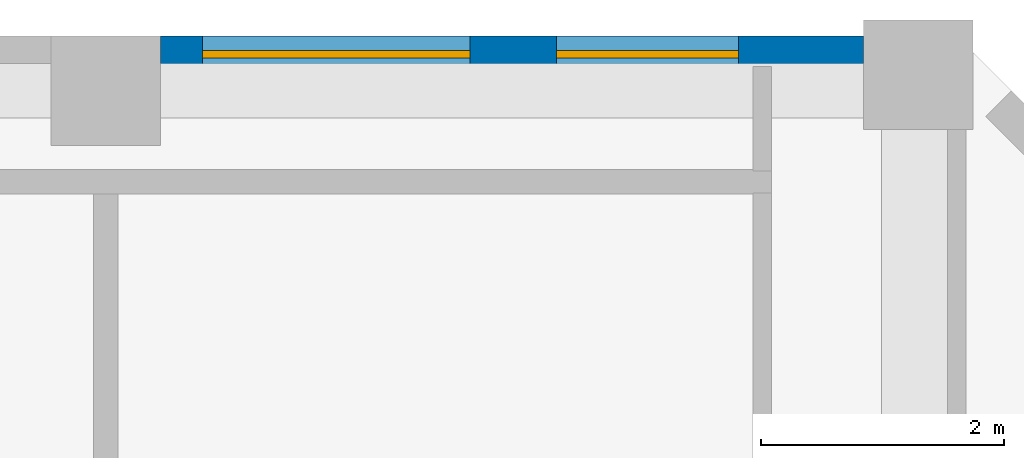
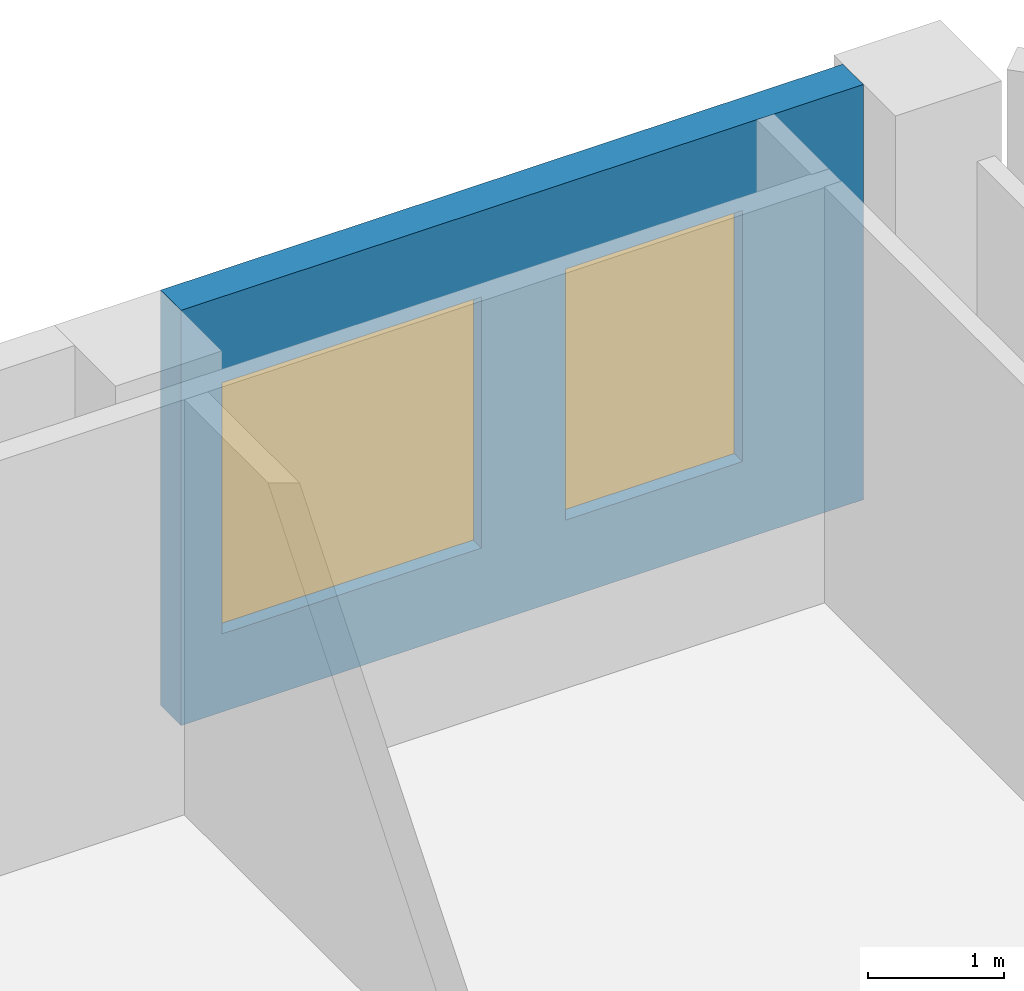
# One storey, part 16 of 27: 2 windows, 1 wall, 2 openings.
"""IFC4 building model written with IfcOpenShell, lengths in metres."""

from ifc_helpers import new_model, si_unit, direction, frame, frame_2d, origin, place, context, subcontext, project, spatial, rectangle, extrude, source, transform, mapped, material, layer, layer_set, type_object, element, fill, save


model = new_model("IFC4")

# Units and contexts
model_context = context("Model", 3, precision=1e-05, world=origin(), true_north=direction((0.0, 1.0)))
body_context = subcontext(model_context, "Body", "Model", "MODEL_VIEW")
ifc_project = project(units=[si_unit("LENGTHUNIT", "METRE"), si_unit("AREAUNIT", "SQUARE_METRE"), si_unit("VOLUMEUNIT", "CUBIC_METRE"), si_unit("PLANEANGLEUNIT", "RADIAN"), si_unit("MASSUNIT", "GRAM", prefix="KILO")], contexts=[model_context])

# Site, building, storey
site_placement = place(None, origin())
site = spatial("IfcSite", under=ifc_project, at=site_placement, CompositionType="ELEMENT")
building_placement = place(site_placement, origin())
building = spatial("IfcBuilding", under=site, at=building_placement, Name="Kilnfold Tower and Market Hall", CompositionType="ELEMENT")
storey_placement = place(building_placement, frame((0.0, 0.0, 47.0)))
storey = spatial("IfcBuildingStorey", under=building, at=storey_placement, Name="L10", CompositionType="ELEMENT", Elevation=47.0)

# Wall, openings, windows
ifc_material_1 = material(Name="Precast concrete C50/60", Category="concrete")
ifc_layer = layer(ifc_material_1, 0.300048828125)
ifc_layer_set = layer_set([ifc_layer], Name="Precast concrete C50/60")
wall_type = type_object("IfcWallType", Name="PRECAST WALL 300", PredefinedType="SOLIDWALL", material=ifc_layer_set)
shared_shape = source(origin(), body_context, "Body", "SweptSolid", [
    extrude(rectangle(XDim=5.78173828125, YDim=0.300048828125, at=frame_2d((2.890869140625, 0.0))), origin(), (0.0, 0.0, 1.0), 3.719970703125),
])
wall_placement = place(storey_placement, frame((23.731689453125, 27.85009765625, 0.0), z_axis=(0.0, 0.0, 1.0), x_axis=(-1.0, 0.0, 0.0)))
wall = element("IfcWall", 1, at=wall_placement, inside=storey, type_object=wall_type, Name="External wall L10 N", PredefinedType="SOLIDWALL", context=body_context, shape_type="MappedRepresentation", body=[
    mapped(shared_shape, transform((0.0, 0.0, 0.0))),
])
opening_1_placement = place(wall_placement, frame((1.026123046875, 0.0, 0.699951171875)))
opening_1 = element("IfcOpeningElement", 2, at=opening_1_placement, cuts=wall, Name="Opening W1-A", PredefinedType="OPENING", context=body_context, shape_type="SweptSolid", body=[
    extrude(rectangle(XDim=1.5, YDim=2.25, at=frame_2d((0.75, 1.125))), frame((0.0, 0.16015625, 0.0), z_axis=(0.0, -1.0, 0.0), x_axis=(1.0, 0.0, 0.0)), (0.0, 0.0, 1.0), 0.320068359375),
])
opening_2_placement = place(wall_placement, frame((3.236328125, 0.0, 0.699951171875)))
opening_2 = element("IfcOpeningElement", 3, at=opening_2_placement, cuts=wall, Name="Opening W1", PredefinedType="OPENING", context=body_context, shape_type="SweptSolid", body=[
    extrude(rectangle(XDim=2.199951171875, YDim=2.25, at=frame_2d((1.10009765625, 1.125))), frame((0.0, 0.16015625, 0.0), z_axis=(0.0, -1.0, 0.0), x_axis=(1.0, 0.0, 0.0)), (0.0, 0.0, 1.0), 0.320068359375),
])
ifc_material_2 = material(Name="Aluminium frame and double glazing", Category="aluminium")
window_type_1 = type_object("IfcWindowType", Name="WINDOW W1 2200X2250", PartitioningType="SINGLE_PANEL", PredefinedType="WINDOW", material=ifc_material_2)
window_1_placement = place(opening_2_placement, origin())
window_1 = element("IfcWindow", 4, at=window_1_placement, inside=storey, type_object=window_type_1, Name="Window W1 L10 N-2", OverallHeight=2.25, OverallWidth=2.199951171875, PartitioningType="SINGLE_PANEL", PredefinedType="WINDOW", context=body_context, shape_type="SweptSolid", body=[
    extrude(rectangle(XDim=2.199951171875, YDim=2.25, at=frame_2d((1.10009765625, 1.125))), frame((0.0, 0.030029296875, 0.0), z_axis=(0.0, -1.0, 0.0), x_axis=(1.0, 0.0, 0.0)), (0.0, 0.0, 1.0), 0.06005859375),
])
fill(opening_2, window_1)
ifc_material_3 = material(Name="Aluminium frame and double glazing", Category="aluminium")
window_type_2 = type_object("IfcWindowType", Name="WINDOW W1-A 1500X2250", PartitioningType="SINGLE_PANEL", PredefinedType="WINDOW", material=ifc_material_3)
window_2_placement = place(opening_1_placement, origin())
window_2 = element("IfcWindow", 5, at=window_2_placement, inside=storey, type_object=window_type_2, Name="Window W1-A L10 N-1", OverallHeight=2.25, OverallWidth=1.5, PartitioningType="SINGLE_PANEL", PredefinedType="WINDOW", context=body_context, shape_type="SweptSolid", body=[
    extrude(rectangle(XDim=1.5, YDim=2.25, at=frame_2d((0.75, 1.125))), frame((0.0, 0.030029296875, 0.0), z_axis=(0.0, -1.0, 0.0), x_axis=(1.0, 0.0, 0.0)), (0.0, 0.0, 1.0), 0.06005859375),
])
fill(opening_1, window_2)

save(model, "model.ifc")
